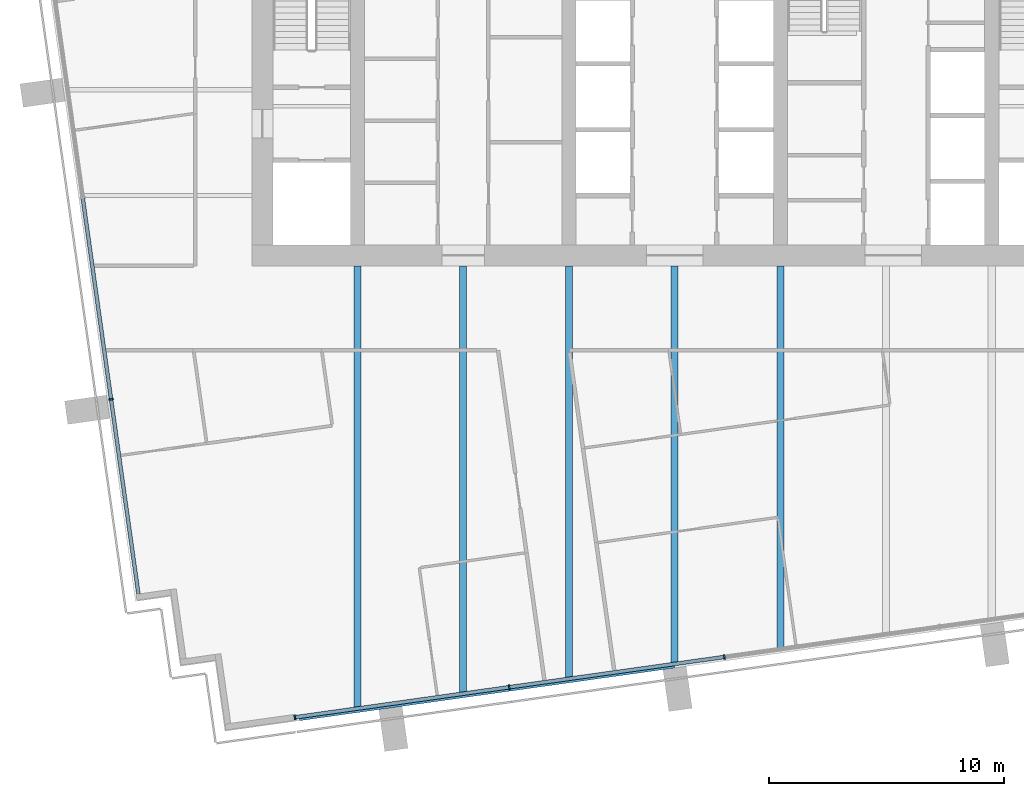
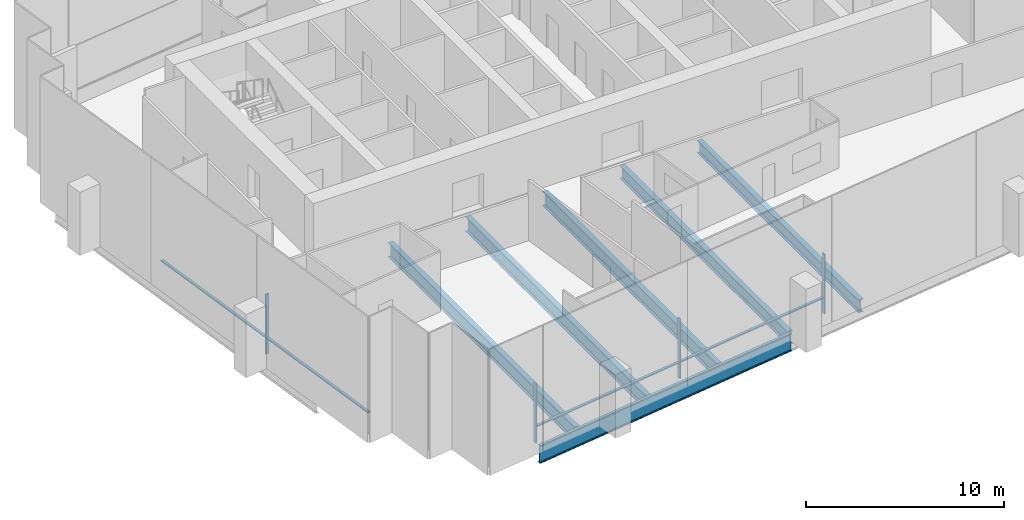
# One storey, part 2 of 15: 8 members, 6 beams, 2 elements without a shape of their own.
"""IFC4 building model written with IfcOpenShell, lengths in metres."""

from ifc_helpers import new_model, si_unit, direction, frame, origin, origin_2d, place, context, subcontext, project, spatial, rectangle, i_section, extrude, material, layer, layer_set, material_profile, profile_set, type_object, element, aggregate, save


model = new_model("IFC4")

# Units and contexts
model_context = context("Model", 3, precision=1e-05, world=origin(), true_north=direction((0.0, 1.0)))
body_context = subcontext(model_context, "Body", "Model", "MODEL_VIEW")
ifc_project = project(units=[si_unit("LENGTHUNIT", "METRE"), si_unit("AREAUNIT", "SQUARE_METRE"), si_unit("VOLUMEUNIT", "CUBIC_METRE"), si_unit("PLANEANGLEUNIT", "RADIAN"), si_unit("MASSUNIT", "GRAM", prefix="KILO")], contexts=[model_context])

# Site, building, storey
site_placement = place(None, origin())
site = spatial("IfcSite", under=ifc_project, at=site_placement, CompositionType="ELEMENT")
building_placement = place(site_placement, origin())
building = spatial("IfcBuilding", under=site, at=building_placement, Name="Rattan Terrace Tower", CompositionType="ELEMENT")
storey_placement = place(building_placement, frame((0.0, 0.0, 255.10009765625)))
storey = spatial("IfcBuildingStorey", under=building, at=storey_placement, Name="L58", CompositionType="ELEMENT", Elevation=255.10009765625)

# Beams
ifc_material_1 = material(Name="Steel S460", Category="steel")
ifc_material_profile_1 = material_profile(ifc_material_1, i_section(OverallWidth=0.179931640625, OverallDepth=1.10009765625, WebThickness=0.01611328125, FlangeThickness=0.050048828125, at=origin_2d()), Name="PG 1100x180-16-50")
ifc_profile_set_1 = profile_set([ifc_material_profile_1], Name="Steel S460")
beam_type_1 = type_object("IfcBeamType", Name="Frame edge girder PG 1100x180-16-50", PredefinedType="SPANDREL", material=ifc_profile_set_1)
beam_1_placement = place(storey_placement, frame((-15.969970703125, -26.77099609375, -0.75), z_axis=(0.990265456284, 0.139191688294, 0.0), x_axis=(-0.139191688294, 0.990265456284, 0.0)))
element("IfcBeam", 1, at=beam_1_placement, inside=storey, type_object=beam_type_1, Name="gdr-L58-001", PredefinedType="SPANDREL", context=body_context, shape_type="SweptSolid", body=[
    extrude(i_section(OverallWidth=0.179931640625, OverallDepth=1.10009765625, WebThickness=0.01611328125, FlangeThickness=0.050048828125, at=origin_2d()), origin(), (0.0, 0.0, 1.0), 16.114013671875),
])
ifc_material_2 = material(Name="Steel S355", Category="steel")
ifc_material_profile_2 = material_profile(ifc_material_2, i_section(OverallWidth=0.300048828125, OverallDepth=0.800048828125, WebThickness=0.017578125, FlangeThickness=0.032958984375, FilletRadius=0.030029296875, at=origin_2d()), Name="HE 800 B")
ifc_profile_set_2 = profile_set([ifc_material_profile_2], Name="Steel S355")
beam_type_2 = type_object("IfcBeamType", Name="Frame floor beam HE 800 B", PredefinedType="JOIST", material=ifc_profile_set_2)
beam_2_placement = place(storey_placement, frame((0.0, -24.4140625, -0.60009765625), z_axis=(0.0, 1.0, 0.0), x_axis=(-1.0, 0.0, 0.0)))
element("IfcBeam", 2, at=beam_2_placement, inside=storey, type_object=beam_type_2, Name="bm-L58-006", PredefinedType="JOIST", context=body_context, shape_type="SweptSolid", body=[
    extrude(i_section(OverallWidth=0.300048828125, OverallDepth=0.800048828125, WebThickness=0.017578125, FlangeThickness=0.032958984375, FilletRadius=0.030029296875, at=origin_2d()), origin(), (0.0, 0.0, 1.0), 16.9140625),
])
beam_3_placement = place(storey_placement, frame((4.5, -23.781982421875, -0.60009765625), z_axis=(0.0, 1.0, 0.0), x_axis=(-1.0, 0.0, 0.0)))
element("IfcBeam", 3, at=beam_3_placement, inside=storey, type_object=beam_type_2, Name="bm-L58-007", PredefinedType="JOIST", context=body_context, shape_type="SweptSolid", body=[
    extrude(i_section(OverallWidth=0.300048828125, OverallDepth=0.800048828125, WebThickness=0.017578125, FlangeThickness=0.032958984375, FilletRadius=0.030029296875, at=origin_2d()), origin(), (0.0, 0.0, 1.0), 16.281982421875),
])
ifc_material_3 = material(Name="Steel S355", Category="steel")
ifc_material_profile_3 = material_profile(ifc_material_3, i_section(OverallWidth=0.300048828125, OverallDepth=0.89990234375, WebThickness=0.0185546875, FlangeThickness=0.034912109375, FilletRadius=0.030029296875, at=origin_2d()), Name="HE 900 B")
ifc_profile_set_3 = profile_set([ifc_material_profile_3], Name="Steel S355")
beam_type_3 = type_object("IfcBeamType", Name="Frame floor beam HE 900 B", PredefinedType="JOIST", material=ifc_profile_set_3)
beam_4_placement = place(storey_placement, frame((-13.5, -26.31201171875, -0.650146484375), z_axis=(0.0, 1.0, 0.0), x_axis=(-1.0, 0.0, 0.0)))
element("IfcBeam", 4, at=beam_4_placement, inside=storey, type_object=beam_type_3, Name="bm-L58-003", PredefinedType="JOIST", context=body_context, shape_type="SweptSolid", body=[
    extrude(i_section(OverallWidth=0.300048828125, OverallDepth=0.89990234375, WebThickness=0.0185546875, FlangeThickness=0.034912109375, FilletRadius=0.030029296875, at=origin_2d()), origin(), (0.0, 0.0, 1.0), 18.81201171875),
])
beam_5_placement = place(storey_placement, frame((-9.0, -25.678955078125, -0.650146484375), z_axis=(0.0, 1.0, 0.0), x_axis=(-1.0, 0.0, 0.0)))
element("IfcBeam", 5, at=beam_5_placement, inside=storey, type_object=beam_type_3, Name="bm-L58-004", PredefinedType="JOIST", context=body_context, shape_type="SweptSolid", body=[
    extrude(i_section(OverallWidth=0.300048828125, OverallDepth=0.89990234375, WebThickness=0.0185546875, FlangeThickness=0.034912109375, FilletRadius=0.030029296875, at=origin_2d()), origin(), (0.0, 0.0, 1.0), 18.178955078125),
])
beam_6_placement = place(storey_placement, frame((-4.5, -25.047119140625, -0.650146484375), z_axis=(0.0, 1.0, 0.0), x_axis=(-1.0, 0.0, 0.0)))
element("IfcBeam", 6, at=beam_6_placement, inside=storey, type_object=beam_type_3, Name="bm-L58-005", PredefinedType="JOIST", context=body_context, shape_type="SweptSolid", body=[
    extrude(i_section(OverallWidth=0.300048828125, OverallDepth=0.89990234375, WebThickness=0.0185546875, FlangeThickness=0.034912109375, FilletRadius=0.030029296875, at=origin_2d()), origin(), (0.0, 0.0, 1.0), 17.547119140625),
])

# Curtain wall, member
ifc_material_4 = material(Name="Aluminium and laminated glass", Category="aluminium")
ifc_layer = layer(ifc_material_4, 0.199951171875)
ifc_layer_set = layer_set([ifc_layer], Name="High-Zone Unitised Curtain Wall")
curtain_wall_type = type_object("IfcCurtainWallType", Name="High-Zone Unitised Curtain Wall", PredefinedType="NOTDEFINED", material=ifc_layer_set)
curtain_wall_1_placement = place(storey_placement, origin())
curtain_wall_1 = element("IfcCurtainWall", 7, at=curtain_wall_1_placement, inside=storey, type_object=curtain_wall_type, Name="High-zone curtain wall L58-3", PredefinedType="NOTDEFINED")
ifc_material_5 = material(Name="Aluminium", Category="aluminium")
ifc_material_profile_4 = material_profile(ifc_material_5, rectangle(XDim=0.070068359375, YDim=0.199951171875, at=origin_2d()), Name="Aluminium 70x200")
ifc_profile_set_4 = profile_set([ifc_material_profile_4], Name="Aluminium")
member_type_1 = type_object("IfcMemberType", Name="High-Zone CW Mullion 70x200", PredefinedType="MULLION", material=ifc_profile_set_4)
member_1_placement = place(storey_placement, frame((-23.989990234375, -13.177490234375, 0.0), z_axis=(0.0, 0.0, 1.0), x_axis=(0.139191775431, -0.990265444036, 0.0)))
member_1 = element("IfcMember", 8, at=member_1_placement, type_object=member_type_1, Name="Mullion cwl-L58-003.3", PredefinedType="MULLION", context=body_context, shape_type="SweptSolid", body=[
    extrude(rectangle(XDim=0.070068359375, YDim=0.199951171875, at=origin_2d()), origin(), (0.0, 0.0, 1.0), 3.699951171875),
])

# Curtain wall, members
curtain_wall_2_placement = place(storey_placement, origin())
curtain_wall_2 = element("IfcCurtainWall", 9, at=curtain_wall_2_placement, inside=storey, type_object=curtain_wall_type, Name="High-zone curtain wall L58-4", PredefinedType="NOTDEFINED")
member_2_placement = place(storey_placement, frame((-16.1650390625, -26.716796875, 0.0), z_axis=(0.0, 0.0, 1.0), x_axis=(0.990265894013, 0.139188574079, 0.0)))
member_2 = element("IfcMember", 10, at=member_2_placement, type_object=member_type_1, Name="Mullion cwl-L58-004.1", PredefinedType="MULLION", context=body_context, shape_type="SweptSolid", body=[
    extrude(rectangle(XDim=0.070068359375, YDim=0.199951171875, at=origin_2d()), origin(), (0.0, 0.0, 1.0), 3.699951171875),
])
member_3_placement = place(storey_placement, frame((-7.040771484375, -25.434326171875, 0.0), z_axis=(0.0, 0.0, 1.0), x_axis=(0.990265894013, 0.139188574079, 0.0)))
member_3 = element("IfcMember", 11, at=member_3_placement, type_object=member_type_1, Name="Mullion cwl-L58-004.2", PredefinedType="MULLION", context=body_context, shape_type="SweptSolid", body=[
    extrude(rectangle(XDim=0.070068359375, YDim=0.199951171875, at=origin_2d()), origin(), (0.0, 0.0, 1.0), 3.699951171875),
])
member_4_placement = place(storey_placement, frame((2.1181640625, -24.14697265625, 0.0), z_axis=(0.0, 0.0, 1.0), x_axis=(0.990265894013, 0.139188574079, 0.0)))
member_4 = element("IfcMember", 12, at=member_4_placement, type_object=member_type_1, Name="Mullion cwl-L58-004.3", PredefinedType="MULLION", context=body_context, shape_type="SweptSolid", body=[
    extrude(rectangle(XDim=0.070068359375, YDim=0.199951171875, at=origin_2d()), origin(), (0.0, 0.0, 1.0), 3.699951171875),
])

# Member
ifc_material_6 = material(Name="Aluminium", Category="aluminium")
ifc_material_profile_5 = material_profile(ifc_material_6, rectangle(XDim=0.159912109375, YDim=0.070068359375, at=origin_2d()), Name="Aluminium 160x70")
ifc_profile_set_5 = profile_set([ifc_material_profile_5], Name="Aluminium")
member_type_2 = type_object("IfcMemberType", Name="High-Zone CW Transom 160x70", PredefinedType="USERDEFINED", material=ifc_profile_set_5)
member_5_placement = place(storey_placement, frame((-25.19140625, -4.629638671875, 1.0), z_axis=(0.139182599995, -0.990266733693, 0.0), x_axis=(0.990266733693, 0.139182599995, 0.0)))
member_5 = element("IfcMember", 13, at=member_5_placement, type_object=member_type_2, Name="Transom cwl-L58-003.2", ObjectType="TRANSOM", PredefinedType="USERDEFINED", context=body_context, shape_type="SweptSolid", body=[
    extrude(rectangle(XDim=0.159912109375, YDim=0.070068359375, at=origin_2d()), origin(), (0.0, 0.0, 1.0), 8.596923828125),
])

member_6_placement = place(storey_placement, frame((-23.985107421875, -13.212158203125, 1.0), z_axis=(0.139198740199, -0.990264465043, 0.0), x_axis=(0.990264465043, 0.139198740199, 0.0)))
member_6 = element("IfcMember", 14, at=member_6_placement, type_object=member_type_2, Name="Transom cwl-L58-003.3", ObjectType="TRANSOM", PredefinedType="USERDEFINED", context=body_context, shape_type="SweptSolid", body=[
    extrude(rectangle(XDim=0.159912109375, YDim=0.070068359375, at=origin_2d()), origin(), (0.0, 0.0, 1.0), 8.336181640625),
])

aggregate(curtain_wall_1, [member_1, member_5, member_6])

member_7_placement = place(storey_placement, frame((-16.13037109375, -26.7119140625, 1.0), z_axis=(0.990266298783, 0.139185694291, 0.0), x_axis=(-0.139185694291, 0.990266298783, 0.0)))
member_7 = element("IfcMember", 15, at=member_7_placement, type_object=member_type_2, Name="Transom cwl-L58-004.1", ObjectType="TRANSOM", PredefinedType="USERDEFINED", context=body_context, shape_type="SweptSolid", body=[
    extrude(rectangle(XDim=0.159912109375, YDim=0.070068359375, at=origin_2d()), origin(), (0.0, 0.0, 1.0), 9.14404296875),
])

member_8_placement = place(storey_placement, frame((-7.006103515625, -25.429443359375, 1.0), z_axis=(0.990266147156, 0.139186773067, 0.0), x_axis=(-0.139186773067, 0.990266147156, 0.0)))
member_8 = element("IfcMember", 16, at=member_8_placement, type_object=member_type_2, Name="Transom cwl-L58-004.2", ObjectType="TRANSOM", PredefinedType="USERDEFINED", context=body_context, shape_type="SweptSolid", body=[
    extrude(rectangle(XDim=0.159912109375, YDim=0.070068359375, at=origin_2d()), origin(), (0.0, 0.0, 1.0), 9.178955078125),
])

aggregate(curtain_wall_2, [member_2, member_3, member_4, member_7, member_8])

save(model, "model.ifc")
